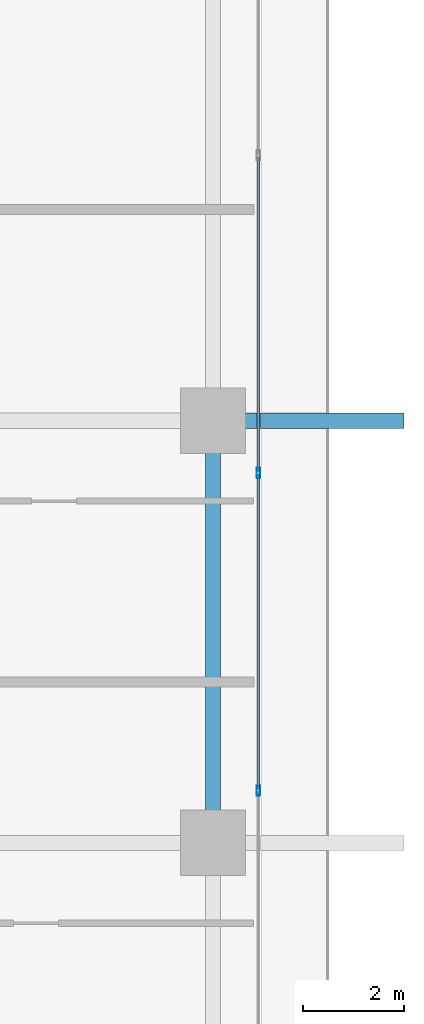
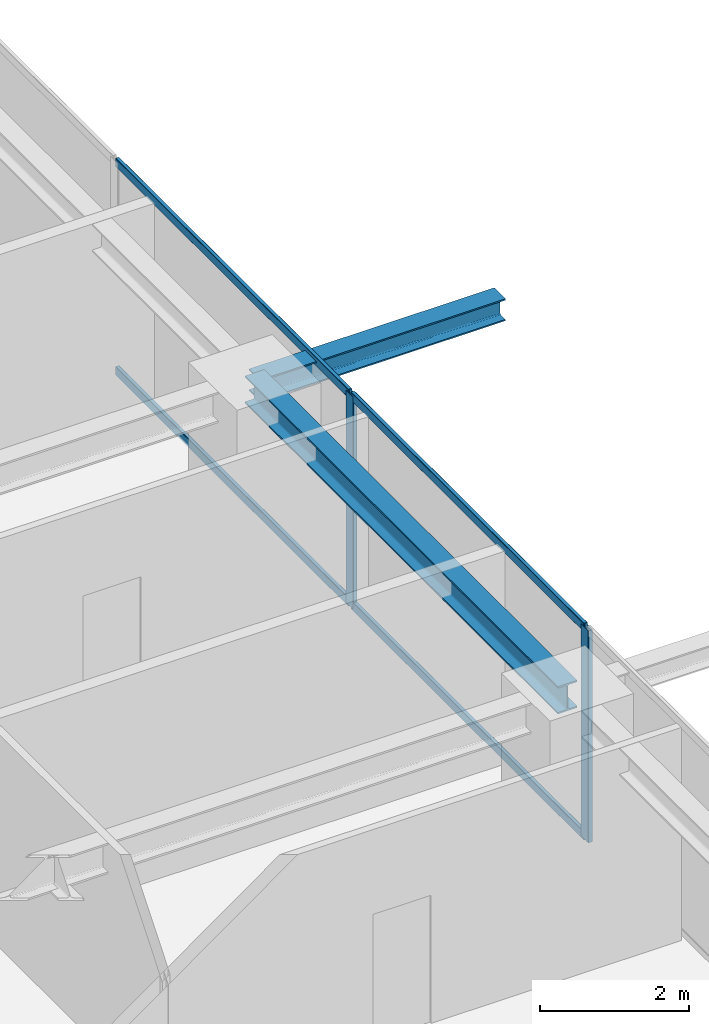
# One storey, part 16 of 37: 6 members, 2 beams, 1 element without a shape of its own.
"""IFC4 building model written with IfcOpenShell, lengths in metres."""

from ifc_helpers import new_model, si_unit, direction, frame, origin, origin_2d, place, context, subcontext, project, spatial, hollow_rectangle, i_section, extrude, source, transform, mapped, material, layer, layer_set, material_profile, profile_set, type_object, element, aggregate, save


model = new_model("IFC4")

# Units and contexts
model_context = context("Model", 3, precision=1e-05, world=origin(), true_north=direction((0.0, 1.0)))
body_context = subcontext(model_context, "Body", "Model", "MODEL_VIEW")
ifc_project = project(units=[si_unit("LENGTHUNIT", "METRE"), si_unit("AREAUNIT", "SQUARE_METRE"), si_unit("VOLUMEUNIT", "CUBIC_METRE"), si_unit("PLANEANGLEUNIT", "RADIAN"), si_unit("MASSUNIT", "GRAM", prefix="KILO")], contexts=[model_context])

# Site, building, storey
site_placement = place(None, origin())
site = spatial("IfcSite", under=ifc_project, at=site_placement, CompositionType="ELEMENT")
building_placement = place(site_placement, origin())
building = spatial("IfcBuilding", under=site, at=building_placement, Name="Serunith Strait Residences", CompositionType="ELEMENT")
storey_placement = place(building_placement, frame((0.0, 0.0, 127.64990234375)))
storey = spatial("IfcBuildingStorey", under=building, at=storey_placement, Name="L31", CompositionType="ELEMENT", Elevation=127.64990234375)

# Beams
ifc_material_1 = material(Name="Steel S355J2", Category="steel")
ifc_material_profile_1 = material_profile(ifc_material_1, i_section(OverallWidth=0.300048828125, OverallDepth=0.449951171875, WebThickness=0.013916015625, FlangeThickness=0.02587890625, FilletRadius=0.027099609375, at=origin_2d()), Name="HEB 450")
ifc_profile_set_1 = profile_set([ifc_material_profile_1], Name="Steel S355J2")
beam_type_1 = type_object("IfcBeamType", Name="BM-HEB450", PredefinedType="BEAM", material=ifc_profile_set_1)
shared_shape_1 = source(origin(), body_context, "Body", "SweptSolid", [
    extrude(i_section(OverallWidth=0.300048828125, OverallDepth=0.449951171875, WebThickness=0.013916015625, FlangeThickness=0.02587890625, FilletRadius=0.027099609375, at=origin_2d()), origin(), (0.0, 0.0, 1.0), 8.39990234375),
])
beam_1_placement = place(storey_placement, frame((56.10009765625, 21.0, 3.26220703125), z_axis=(0.0, 1.0, 0.0), x_axis=(-1.0, 0.0, 0.0)))
element("IfcBeam", 1, at=beam_1_placement, inside=storey, type_object=beam_type_1, Name="L31 Perimeter Ring Beam 06", PredefinedType="BEAM", context=body_context, shape_type="MappedRepresentation", body=[
    mapped(shared_shape_1, transform((0.0, 0.0, 0.0), scale=1.0)),
])
ifc_material_profile_2 = material_profile(ifc_material_1, i_section(OverallWidth=0.300048828125, OverallDepth=0.360107421875, WebThickness=0.012451171875, FlangeThickness=0.0224609375, FilletRadius=0.027099609375, at=origin_2d()), Name="HEB 360")
ifc_profile_set_2 = profile_set([ifc_material_profile_2], Name="Steel S355J2")
beam_type_2 = type_object("IfcBeamType", Name="BM-HEB360", PredefinedType="BEAM", material=ifc_profile_set_2)
shared_shape_2 = source(origin(), body_context, "Body", "SweptSolid", [
    extrude(i_section(OverallWidth=0.300048828125, OverallDepth=0.360107421875, WebThickness=0.012451171875, FlangeThickness=0.0224609375, FilletRadius=0.027099609375, at=origin_2d()), origin(), (0.0, 0.0, 1.0), 3.7998046875),
])
beam_2_placement = place(storey_placement, frame((56.10009765625, 29.39990234375, 3.277099609375), z_axis=(1.0, 0.0, 0.0), x_axis=(0.0, 1.0, 0.0)))
element("IfcBeam", 2, at=beam_2_placement, inside=storey, type_object=beam_type_2, Name="L32 Cantilevered Balcony Rib TC-E3", PredefinedType="BEAM", context=body_context, shape_type="MappedRepresentation", body=[
    mapped(shared_shape_2, transform((0.0, 0.0, 0.0), scale=1.0)),
])

# Curtain wall, members
ifc_material_2 = material(Name="Pale-Champagne Anodised Aluminium", Category="aluminium")
ifc_layer = layer(ifc_material_2, 0.199951171875, Name="Pale-Champagne Anodised Aluminium")
ifc_layer_set = layer_set([ifc_layer], Name="Pale-Champagne Anodised Aluminium")
curtain_wall_type = type_object("IfcCurtainWallType", Name="CW-SYS2", PredefinedType="NOTDEFINED", material=ifc_layer_set)
curtain_wall_placement = place(storey_placement, origin())
curtain_wall = element("IfcCurtainWall", 3, at=curtain_wall_placement, inside=storey, type_object=curtain_wall_type, Name="L31 E Unitised Fritted Curtain Wall", PredefinedType="NOTDEFINED")
ifc_material_profile_3 = material_profile(ifc_material_2, hollow_rectangle(XDim=0.070068359375, YDim=0.199951171875, WallThickness=0.00390625, InnerFilletRadius=0.006103515625, OuterFilletRadius=0.010009765625, at=origin_2d()), Name="ALU 200x70x4")
ifc_profile_set_3 = profile_set([ifc_material_profile_3], Name="Pale-Champagne Anodised Aluminium")
member_type_1 = type_object("IfcMemberType", Name="CW-SYS2-MULL", PredefinedType="MULLION", material=ifc_profile_set_3)
shared_shape_3 = source(origin(), body_context, "Body", "SweptSolid", [
    extrude(hollow_rectangle(XDim=0.070068359375, YDim=0.199951171875, WallThickness=0.00390625, InnerFilletRadius=0.006103515625, OuterFilletRadius=0.010009765625, at=origin_2d()), origin(), (0.0, 0.0, 1.0), 3.47509765625),
])
member_1_placement = place(storey_placement, frame((57.0, 22.0400390625, 0.0), z_axis=(0.0, 0.0, 1.0), x_axis=(-1.0, 0.0, 0.0)))
member_1 = element("IfcMember", 4, at=member_1_placement, type_object=member_type_1, Name="CW-2 mullion 3", PredefinedType="MULLION", context=body_context, shape_type="MappedRepresentation", body=[
    mapped(shared_shape_3, transform((0.0, 0.0, 0.0), scale=1.0)),
])
member_2_placement = place(storey_placement, frame((57.0, 28.360107421875, 0.0), z_axis=(0.0, 0.0, 1.0), x_axis=(-1.0, 0.0, 0.0)))
member_2 = element("IfcMember", 5, at=member_2_placement, type_object=member_type_1, Name="CW-2 mullion 4", PredefinedType="MULLION", context=body_context, shape_type="MappedRepresentation", body=[
    mapped(shared_shape_3, transform((0.0, 0.0, 0.0), scale=1.0)),
])
ifc_material_profile_4 = material_profile(ifc_material_2, hollow_rectangle(XDim=0.06005859375, YDim=0.139892578125, WallThickness=0.00341796875, InnerFilletRadius=0.00537109375, OuterFilletRadius=0.0087890625, at=origin_2d()), Name="ALU 140x60x3.5")
ifc_profile_set_4 = profile_set([ifc_material_profile_4], Name="Pale-Champagne Anodised Aluminium")
member_type_2 = type_object("IfcMemberType", Name="CW-SYS2-TRAN", PredefinedType="USERDEFINED", material=ifc_profile_set_4)
shared_shape_4 = source(origin(), body_context, "Body", "SweptSolid", [
    extrude(hollow_rectangle(XDim=0.06005859375, YDim=0.139892578125, WallThickness=0.00341796875, InnerFilletRadius=0.00537109375, OuterFilletRadius=0.0087890625, at=origin_2d()), origin(), (0.0, 0.0, 1.0), 6.25),
])
member_3_placement = place(storey_placement, frame((57.0, 22.074951171875, 0.030029296875), z_axis=(0.0, 1.0, 0.0), x_axis=(-1.0, 0.0, 0.0)))
member_3 = element("IfcMember", 6, at=member_3_placement, type_object=member_type_2, Name="CW-2 transom 3.1", ObjectType="TRANSOM", PredefinedType="USERDEFINED", context=body_context, shape_type="MappedRepresentation", body=[
    mapped(shared_shape_4, transform((0.0, 0.0, 0.0), scale=1.0)),
])
member_4_placement = place(storey_placement, frame((57.0, 22.074951171875, 3.445068359375), z_axis=(0.0, 1.0, 0.0), x_axis=(-1.0, 0.0, 0.0)))
member_4 = element("IfcMember", 7, at=member_4_placement, type_object=member_type_2, Name="CW-2 transom 3.2", ObjectType="TRANSOM", PredefinedType="USERDEFINED", context=body_context, shape_type="MappedRepresentation", body=[
    mapped(shared_shape_4, transform((0.0, 0.0, 0.0), scale=1.0)),
])
member_5_placement = place(storey_placement, frame((57.0, 28.39501953125, 0.030029296875), z_axis=(0.0, 1.0, 0.0), x_axis=(-1.0, 0.0, 0.0)))
member_5 = element("IfcMember", 8, at=member_5_placement, type_object=member_type_2, Name="CW-2 transom 4.1", ObjectType="TRANSOM", PredefinedType="USERDEFINED", context=body_context, shape_type="MappedRepresentation", body=[
    mapped(shared_shape_4, transform((0.0, 0.0, 0.0), scale=1.0)),
])
member_6_placement = place(storey_placement, frame((57.0, 28.39501953125, 3.445068359375), z_axis=(0.0, 1.0, 0.0), x_axis=(-1.0, 0.0, 0.0)))
member_6 = element("IfcMember", 9, at=member_6_placement, type_object=member_type_2, Name="CW-2 transom 4.2", ObjectType="TRANSOM", PredefinedType="USERDEFINED", context=body_context, shape_type="MappedRepresentation", body=[
    mapped(shared_shape_4, transform((0.0, 0.0, 0.0), scale=1.0)),
])
aggregate(curtain_wall, [member_1, member_2, member_3, member_4, member_5, member_6])

save(model, "model.ifc")
